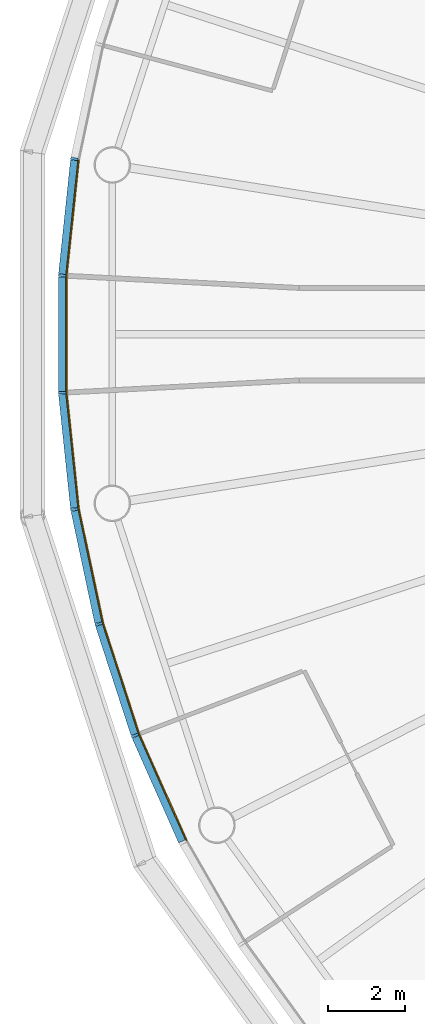
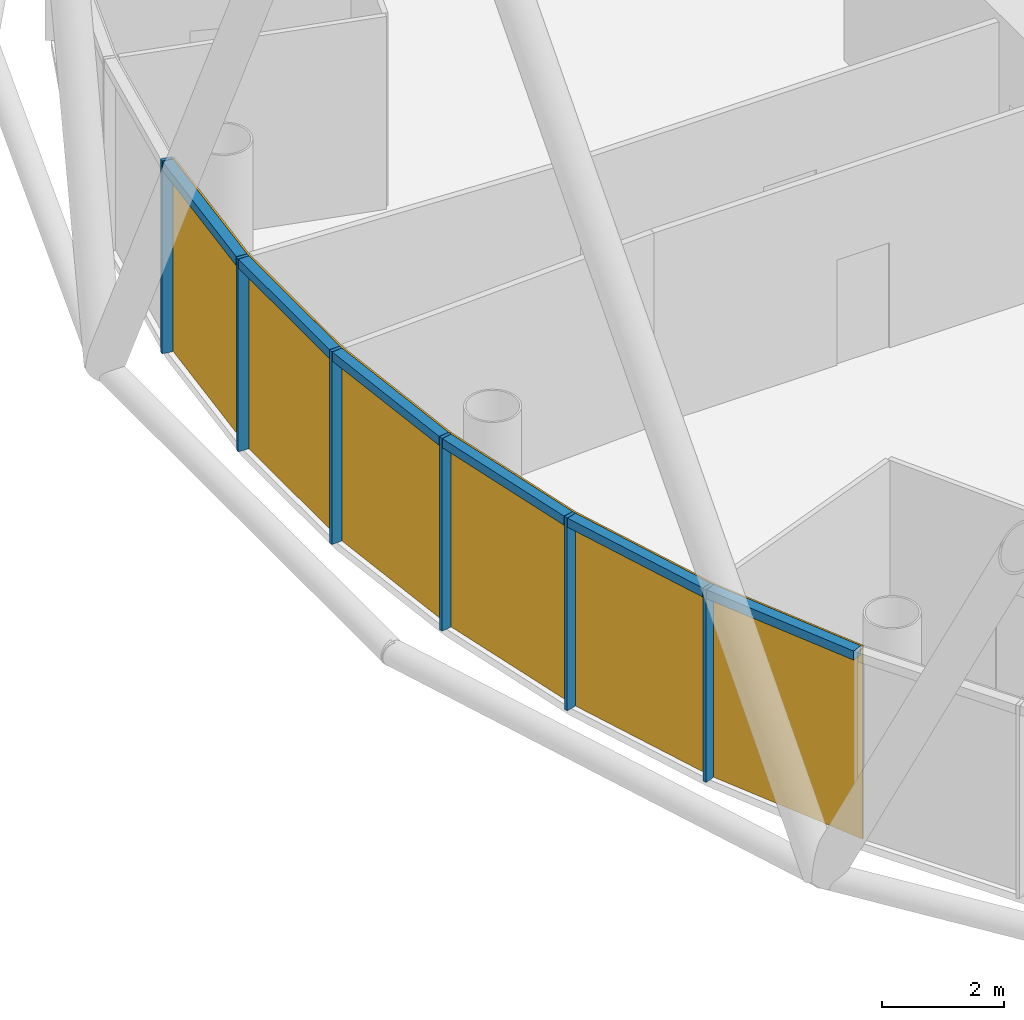
# One storey, part 8 of 13: 12 members, 2 curtain walls.
"""IFC4 building model written with IfcOpenShell, lengths in metres."""

from ifc_helpers import new_model, si_unit, direction, frame, origin, origin_2d, place, context, subcontext, project, spatial, polyline, rectangle, outline, extrude, material, layer, layer_set, material_profile, profile_set, type_object, element, aggregate, save


model = new_model("IFC4")

# Units and contexts
model_context = context("Model", 3, precision=1e-05, world=origin(), true_north=direction((0.0, 1.0)))
body_context = subcontext(model_context, "Body", "Model", "MODEL_VIEW")
ifc_project = project(units=[si_unit("LENGTHUNIT", "METRE"), si_unit("AREAUNIT", "SQUARE_METRE"), si_unit("VOLUMEUNIT", "CUBIC_METRE"), si_unit("PLANEANGLEUNIT", "RADIAN"), si_unit("MASSUNIT", "GRAM", prefix="KILO")], contexts=[model_context])

# Member
ifc_material_1 = material(Name="Anodised aluminium", Category="aluminium")
ifc_material_profile_1 = material_profile(ifc_material_1, rectangle(XDim=0.06494140625, YDim=0.195068359375, at=origin_2d()), Name="Mullion 65 x 195 mm anodised aluminium")
ifc_profile_set_1 = profile_set([ifc_material_profile_1], Name="Anodised aluminium")
member_type_1 = type_object("IfcMemberType", Name="Mullion 65 x 195 mm anodised aluminium", PredefinedType="MULLION", material=ifc_profile_set_1)
site_placement = place(None, origin())
building_placement = place(site_placement, origin())
storey_placement = place(building_placement, frame((0.0, 0.0, 310.0)))
member_1_placement = place(storey_placement, frame((61.2607421875, 84.5517578125, 0.0), z_axis=(0.0, 0.0, 1.0), x_axis=(-0.15643446504, -0.987688340595, 0.0)))
member_1 = element("IfcMember", 1, at=member_1_placement, type_object=member_type_1, Name="MULLION L71-27", PredefinedType="MULLION", context=body_context, shape_type="SweptSolid", body=[
    extrude(rectangle(XDim=0.06494140625, YDim=0.195068359375, at=origin_2d()), origin(), (0.0, 0.0, 1.0), 3.85009765625),
])

member_2_placement = place(storey_placement, frame((60.9423828125, 81.52294921875, 0.0), z_axis=(0.0, 0.0, 1.0), x_axis=(-0.052335956243, -0.998629534755, 0.0)))
member_2 = element("IfcMember", 2, at=member_2_placement, type_object=member_type_1, Name="MULLION L71-28", PredefinedType="MULLION", context=body_context, shape_type="SweptSolid", body=[
    extrude(rectangle(XDim=0.06494140625, YDim=0.195068359375, at=origin_2d()), origin(), (0.0, 0.0, 1.0), 3.85009765625),
])

member_3_placement = place(storey_placement, frame((60.9423828125, 78.47705078125, 0.0), z_axis=(0.0, 0.0, 1.0), x_axis=(0.052335956243, -0.998629534755, 0.0)))
member_3 = element("IfcMember", 3, at=member_3_placement, type_object=member_type_1, Name="MULLION L71-29", PredefinedType="MULLION", context=body_context, shape_type="SweptSolid", body=[
    extrude(rectangle(XDim=0.06494140625, YDim=0.195068359375, at=origin_2d()), origin(), (0.0, 0.0, 1.0), 3.85009765625),
])

member_4_placement = place(storey_placement, frame((61.2607421875, 75.4482421875, 0.0), z_axis=(0.0, 0.0, 1.0), x_axis=(0.15643446504, -0.987688340595, 0.0)))
member_4 = element("IfcMember", 4, at=member_4_placement, type_object=member_type_1, Name="MULLION L71-30", PredefinedType="MULLION", context=body_context, shape_type="SweptSolid", body=[
    extrude(rectangle(XDim=0.06494140625, YDim=0.195068359375, at=origin_2d()), origin(), (0.0, 0.0, 1.0), 3.85009765625),
])

member_5_placement = place(storey_placement, frame((61.89404296875, 72.468994140625, 0.0), z_axis=(0.0, 0.0, 1.0), x_axis=(0.258819045103, -0.965925826289, 0.0)))
member_5 = element("IfcMember", 5, at=member_5_placement, type_object=member_type_1, Name="MULLION L71-31", PredefinedType="MULLION", context=body_context, shape_type="SweptSolid", body=[
    extrude(rectangle(XDim=0.06494140625, YDim=0.195068359375, at=origin_2d()), origin(), (0.0, 0.0, 1.0), 3.85009765625),
])

member_6_placement = place(storey_placement, frame((62.835205078125, 69.572509765625, 0.0), z_axis=(0.0, 0.0, 1.0), x_axis=(0.358367949545, -0.933580426497, 0.0)))
member_6 = element("IfcMember", 6, at=member_6_placement, type_object=member_type_1, Name="MULLION L71-32", PredefinedType="MULLION", context=body_context, shape_type="SweptSolid", body=[
    extrude(rectangle(XDim=0.06494140625, YDim=0.195068359375, at=origin_2d()), origin(), (0.0, 0.0, 1.0), 3.85009765625),
])

ifc_material_2 = material(Name="Anodised aluminium", Category="aluminium")
ifc_material_profile_2 = material_profile(ifc_material_2, rectangle(XDim=0.195068359375, YDim=0.179931640625, at=origin_2d()), Name="Transom 180 x 195 mm anodised aluminium")
ifc_profile_set_2 = profile_set([ifc_material_profile_2], Name="Anodised aluminium")
member_type_2 = type_object("IfcMemberType", Name="Transom 180 x 195 mm anodised aluminium", PredefinedType="USERDEFINED", material=ifc_profile_set_2)
member_7_placement = place(storey_placement, frame((61.256591796875, 84.514404296875, 3.760009765625), z_axis=(-0.104466577987, -0.994528397827, 0.0), x_axis=(0.994528397827, -0.104466577987, 0.0)))
member_7 = element("IfcMember", 7, at=member_7_placement, type_object=member_type_2, Name="TRANSOM L71-27", ObjectType="TRANSOM", PredefinedType="USERDEFINED", context=body_context, shape_type="SweptSolid", body=[
    extrude(rectangle(XDim=0.195068359375, YDim=0.179931640625, at=origin_2d()), origin(), (0.0, 0.0, 1.0), 2.970458984375),
])

member_8_placement = place(storey_placement, frame((60.942138671875, 81.4853515625, 3.760009765625), z_axis=(0.0, -1.0, 0.0), x_axis=(1.0, 0.0, 0.0)))
member_8 = element("IfcMember", 8, at=member_8_placement, type_object=member_type_2, Name="TRANSOM L71-28", ObjectType="TRANSOM", PredefinedType="USERDEFINED", context=body_context, shape_type="SweptSolid", body=[
    extrude(rectangle(XDim=0.195068359375, YDim=0.179931640625, at=origin_2d()), origin(), (0.0, 0.0, 1.0), 2.970703125),
])

member_9_placement = place(storey_placement, frame((60.9462890625, 78.439697265625, 3.760009765625), z_axis=(0.104466577987, -0.994528397827, 0.0), x_axis=(0.994528397827, 0.104466577987, 0.0)))
member_9 = element("IfcMember", 9, at=member_9_placement, type_object=member_type_2, Name="TRANSOM L71-29", ObjectType="TRANSOM", PredefinedType="USERDEFINED", context=body_context, shape_type="SweptSolid", body=[
    extrude(rectangle(XDim=0.195068359375, YDim=0.179931640625, at=origin_2d()), origin(), (0.0, 0.0, 1.0), 2.970458984375),
])

member_10_placement = place(storey_placement, frame((61.268310546875, 75.411376953125, 3.760009765625), z_axis=(0.207940342877, -0.978141510112, 0.0), x_axis=(0.978141510112, 0.207940342877, 0.0)))
member_10 = element("IfcMember", 10, at=member_10_placement, type_object=member_type_2, Name="TRANSOM L71-30", ObjectType="TRANSOM", PredefinedType="USERDEFINED", context=body_context, shape_type="SweptSolid", body=[
    extrude(rectangle(XDim=0.195068359375, YDim=0.179931640625, at=origin_2d()), origin(), (0.0, 0.0, 1.0), 2.970458984375),
])

member_11_placement = place(storey_placement, frame((61.905517578125, 72.43310546875, 3.760009765625), z_axis=(0.309043326415, -0.951047960094, 0.0), x_axis=(0.951047960094, 0.309043326415, 0.0)))
member_11 = element("IfcMember", 11, at=member_11_placement, type_object=member_type_2, Name="TRANSOM L71-31", ObjectType="TRANSOM", PredefinedType="USERDEFINED", context=body_context, shape_type="SweptSolid", body=[
    extrude(rectangle(XDim=0.195068359375, YDim=0.179931640625, at=origin_2d()), origin(), (0.0, 0.0, 1.0), 2.970458984375),
])

member_12_placement = place(storey_placement, frame((62.850341796875, 69.5380859375, 3.760009765625), z_axis=(0.406725527369, -0.913550406593, 0.0), x_axis=(0.913550406593, 0.406725527369, 0.0)))
member_12 = element("IfcMember", 12, at=member_12_placement, type_object=member_type_2, Name="TRANSOM L71-32", ObjectType="TRANSOM", PredefinedType="USERDEFINED", context=body_context, shape_type="SweptSolid", body=[
    extrude(rectangle(XDim=0.195068359375, YDim=0.179931640625, at=origin_2d()), origin(), (0.0, 0.0, 1.0), 2.970703125),
])

# Site, building, storey
site = spatial("IfcSite", under=ifc_project, at=site_placement, CompositionType="ELEMENT")
building = spatial("IfcBuilding", under=site, at=building_placement, Name="Entoto Ring Tower", CompositionType="ELEMENT")
storey = spatial("IfcBuildingStorey", under=building, at=storey_placement, Name="L71", CompositionType="ELEMENT", Elevation=310.0)

# Curtain wall
ifc_material_3 = material(Name="Clear low-iron glass", Category="glass")
ifc_layer = layer(ifc_material_3, 0.033935546875)
ifc_layer_set = layer_set([ifc_layer], Name="Clear low-iron glass")
curtain_wall_type = type_object("IfcCurtainWallType", Name="Curtain wall system CW5 glazing 34 mm", PredefinedType="NOTDEFINED", material=ifc_layer_set)
curtain_wall_1_placement = place(storey_placement, origin())
curtain_wall_1 = element("IfcCurtainWall", 13, at=curtain_wall_1_placement, inside=storey, type_object=curtain_wall_type, Name="CW5 L71-10", PredefinedType="NOTDEFINED", context=body_context, shape_type="SweptSolid", body=[
    extrude(outline(polyline([(61.35693359375, 84.53662109375), (61.039794921875, 81.517822265625), (61.039794921875, 78.482177734375), (61.35693359375, 75.46337890625), (61.390625, 75.46875), (61.07373046875, 78.484130859375), (61.07373046875, 81.515869140625), (61.390625, 84.53125), (61.35693359375, 84.53662109375)])), origin(), (0.0, 0.0, 1.0), 3.85009765625),
])

aggregate(curtain_wall_1, [member_1, member_2, member_3, member_7, member_8, member_9])

curtain_wall_2_placement = place(storey_placement, origin())
curtain_wall_2 = element("IfcCurtainWall", 14, at=curtain_wall_2_placement, inside=storey, type_object=curtain_wall_type, Name="CW5 L71-11", PredefinedType="NOTDEFINED", context=body_context, shape_type="SweptSolid", body=[
    extrude(outline(polyline([(61.35693359375, 75.46337890625), (61.988037109375, 72.494140625), (62.92626953125, 69.607421875), (64.160888671875, 66.834228515625), (64.191162109375, 66.849853515625), (62.9580078125, 69.61962890625), (62.02099609375, 72.503173828125), (61.390625, 75.46875), (61.35693359375, 75.46337890625)])), origin(), (0.0, 0.0, 1.0), 3.85009765625),
])

aggregate(curtain_wall_2, [member_4, member_5, member_6, member_10, member_11, member_12])

save(model, "model.ifc")
